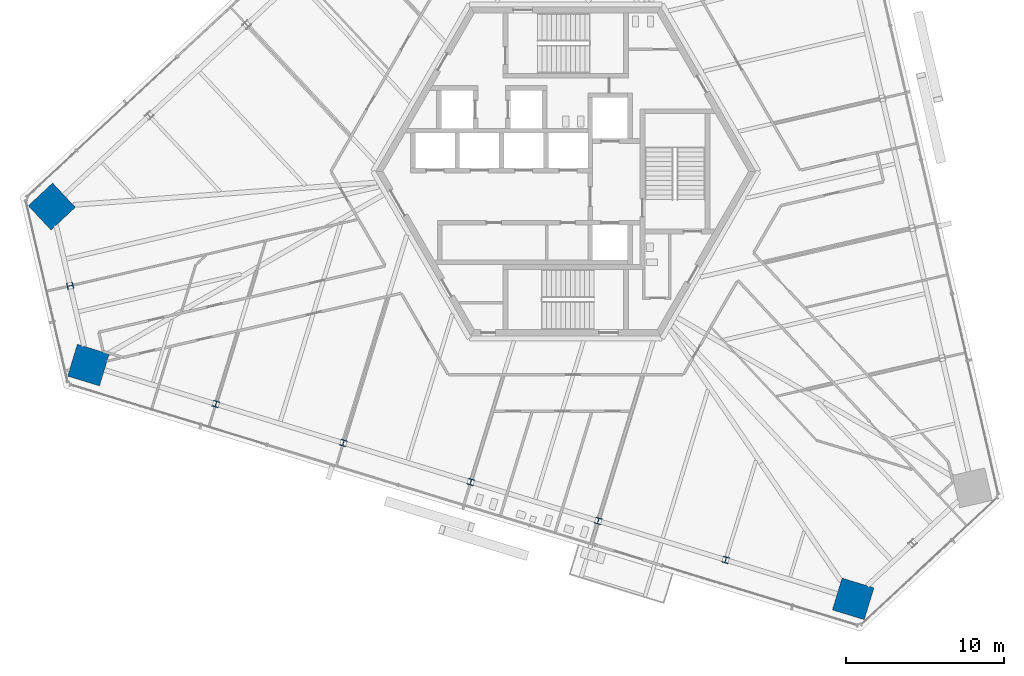
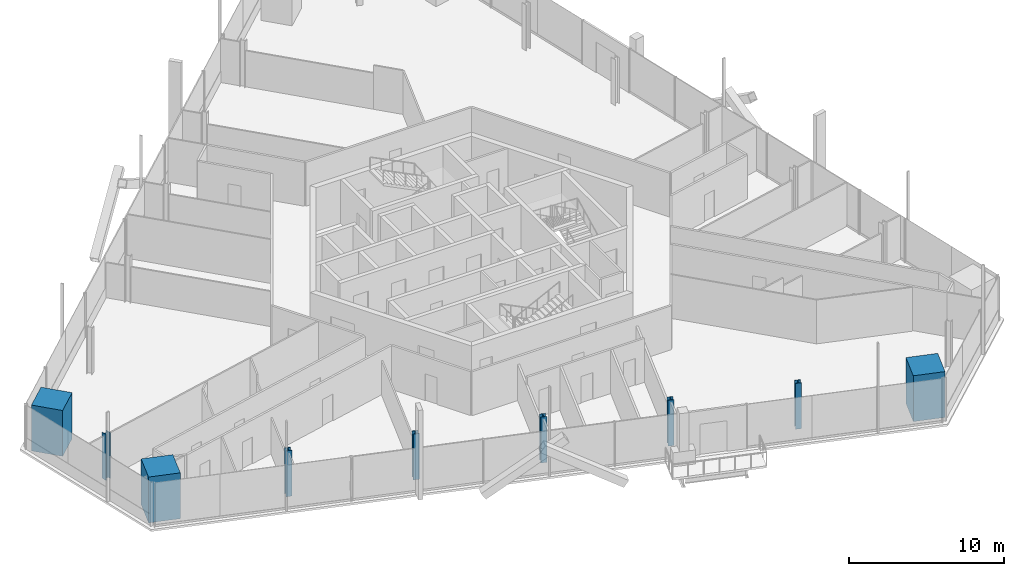
# One storey, part 1 of 24: 9 columns.
"""IFC4 building model written with IfcOpenShell, lengths in metres."""

from ifc_helpers import new_model, si_unit, direction, frame, origin, origin_2d, place, context, subcontext, project, spatial, rectangle, i_section, extrude, source, transform, mapped, material, material_profile, profile_set, type_object, element, save


model = new_model("IFC4")

# Units and contexts
model_context = context("Model", 3, precision=1e-05, world=origin(), true_north=direction((0.0, 1.0)))
body_context = subcontext(model_context, "Body", "Model", "MODEL_VIEW")
ifc_project = project(units=[si_unit("LENGTHUNIT", "METRE"), si_unit("AREAUNIT", "SQUARE_METRE"), si_unit("VOLUMEUNIT", "CUBIC_METRE"), si_unit("PLANEANGLEUNIT", "RADIAN"), si_unit("MASSUNIT", "GRAM", prefix="KILO")], contexts=[model_context])

# Site, building, storey
site_placement = place(None, origin())
site = spatial("IfcSite", under=ifc_project, at=site_placement, CompositionType="ELEMENT")
building_placement = place(site_placement, origin())
building = spatial("IfcBuilding", under=site, at=building_placement, Name="Triune Harvest Tower", CompositionType="ELEMENT")
storey_placement = place(building_placement, frame((0.0, 0.0, 112.699951171875)))
storey = spatial("IfcBuildingStorey", under=building, at=storey_placement, Name="L28", CompositionType="ELEMENT", Elevation=112.699951171875)

# Columns
ifc_material_1 = material(Name="Concrete 70 MPa", Category="concrete")
ifc_material_profile_1 = material_profile(ifc_material_1, rectangle(XDim=2.10009765625, YDim=2.10009765625, at=origin_2d()), Name="Composite 2100x2100")
ifc_profile_set_1 = profile_set([ifc_material_profile_1], Name="Concrete 70 MPa")
column_type_1 = type_object("IfcColumnType", Name="MC-3 Mega column Composite 2100x2100", PredefinedType="COLUMN", material=ifc_profile_set_1)
shared_shape_1 = source(origin(), body_context, "Body", "SweptSolid", [
    extrude(rectangle(XDim=2.10009765625, YDim=2.10009765625, at=origin_2d()), origin(), (0.0, 0.0, 1.0), 3.60009765625),
])
for number, where, z_axis, x_axis, name in (
    (1, (-32.446533203125, -2.218994140625, 0.0), (0.0, 0.0, 1.0), (-0.73135489193, -0.681997083608, 0.0), "col/L28/M14"),
    (2, (-30.135498046875, -12.22900390625, 0.0), (0.0, 0.0, 1.0), (0.956304755963, -0.292371704723, 0.0), "col/L28/M16"),
    (3, (18.14501953125, -26.989990234375, 0.0), (0.0, 0.0, 1.0), (0.956304755963, -0.292371704723, 0.0), "col/L28/M22"),
):
    element("IfcColumn", number, at=place(storey_placement, frame(where, z_axis=z_axis, x_axis=x_axis)), inside=storey, type_object=column_type_1, Name=name, PredefinedType="COLUMN", context=body_context, shape_type="MappedRepresentation", body=[
        mapped(shared_shape_1, transform((0.0, 0.0, 0.0), scale=1.0)),
    ])
ifc_material_2 = material(Name="Steel ASTM A992 Gr 50", Category="steel")
ifc_material_profile_2 = material_profile(ifc_material_2, i_section(OverallWidth=0.396240234375, OverallDepth=0.381103515625, WebThickness=0.01904296875, FlangeThickness=0.0302734375, at=origin_2d()), Name="W14x159")
ifc_profile_set_2 = profile_set([ifc_material_profile_2], Name="Steel ASTM A992 Gr 50")
column_type_2 = type_object("IfcColumnType", Name="PC-3 Perimeter column W14x159", PredefinedType="COLUMN", material=ifc_profile_set_2)
shared_shape_2 = source(origin(), body_context, "Body", "SweptSolid", [
    extrude(i_section(OverallWidth=0.396240234375, OverallDepth=0.381103515625, WebThickness=0.01904296875, FlangeThickness=0.0302734375, at=origin_2d()), origin(), (0.0, 0.0, 1.0), 3.60009765625),
])
for number, where, z_axis, x_axis, name in (
    (4, (-31.291015625, -7.22412109375, 0.0), (0.0, 0.0, 1.0), (0.224951054344, -0.974370064785, 0.0), "col/L28/P15"),
    (5, (-22.0888671875, -14.689208984375, 0.0), (0.0, 0.0, 1.0), (0.956304755963, -0.292371704723, 0.0), "col/L28/P17"),
    (6, (-14.0419921875, -17.1494140625, 0.0), (0.0, 0.0, 1.0), (0.956304755963, -0.292371704723, 0.0), "col/L28/P18"),
    (7, (-5.995361328125, -19.609619140625, 0.0), (0.0, 0.0, 1.0), (0.956304755963, -0.292371704723, 0.0), "col/L28/P19"),
    (8, (2.051513671875, -22.069580078125, 0.0), (0.0, 0.0, 1.0), (0.956304755963, -0.292371704723, 0.0), "col/L28/P20"),
    (9, (10.098388671875, -24.52978515625, 0.0), (0.0, 0.0, 1.0), (0.956304755963, -0.292371704723, 0.0), "col/L28/P21"),
):
    element("IfcColumn", number, at=place(storey_placement, frame(where, z_axis=z_axis, x_axis=x_axis)), inside=storey, type_object=column_type_2, Name=name, PredefinedType="COLUMN", context=body_context, shape_type="MappedRepresentation", body=[
        mapped(shared_shape_2, transform((0.0, 0.0, 0.0), scale=1.0)),
    ])

save(model, "model.ifc")
